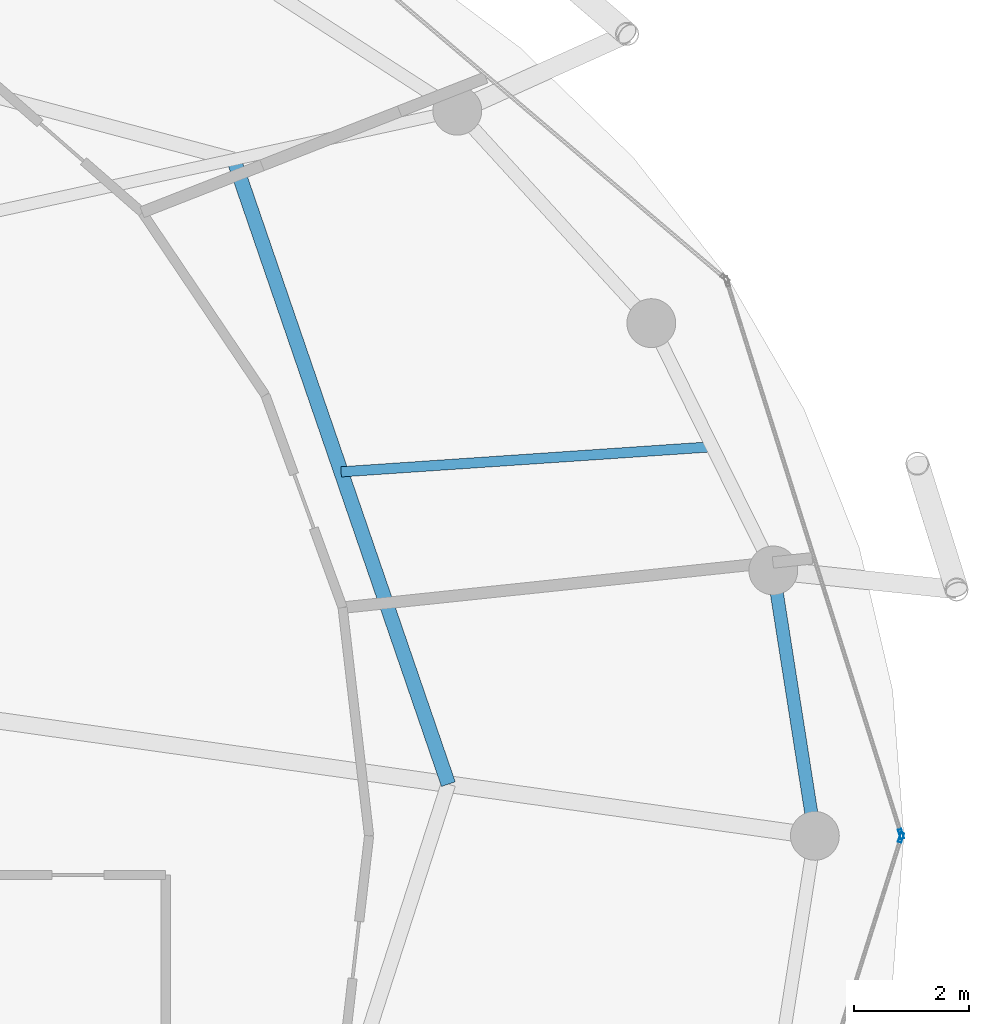
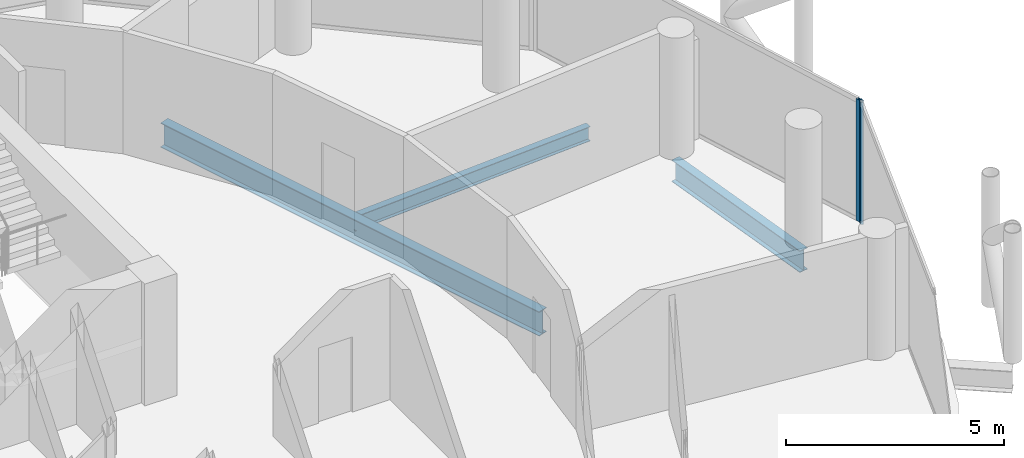
# One storey, part 15 of 27: 3 beams, 2 members, 2 elements without a shape of their own.
"""IFC4 building model written with IfcOpenShell, lengths in metres."""

from ifc_helpers import new_model, si_unit, direction, frame, origin, origin_2d, place, context, subcontext, project, spatial, hollow_rectangle, i_section, extrude, material, layer, layer_set, material_profile, profile_set, type_object, element, aggregate, save


model = new_model("IFC4")

# Units and contexts
model_context = context("Model", 3, precision=1e-05, world=origin(), true_north=direction((0.0, 1.0)))
body_context = subcontext(model_context, "Body", "Model", "MODEL_VIEW")
ifc_project = project(units=[si_unit("LENGTHUNIT", "METRE"), si_unit("AREAUNIT", "SQUARE_METRE"), si_unit("VOLUMEUNIT", "CUBIC_METRE"), si_unit("PLANEANGLEUNIT", "RADIAN"), si_unit("MASSUNIT", "GRAM", prefix="KILO")], contexts=[model_context])

# Site, building, storey
site_placement = place(None, origin())
site = spatial("IfcSite", under=ifc_project, at=site_placement, CompositionType="ELEMENT")
building_placement = place(site_placement, origin())
building = spatial("IfcBuilding", under=site, at=building_placement, Name="Nuhasar Tower", CompositionType="ELEMENT")
storey_placement = place(building_placement, frame((0.0, 0.0, 248.300048828125)))
storey = spatial("IfcBuildingStorey", under=building, at=storey_placement, Name="L61", CompositionType="ELEMENT", Elevation=248.300048828125)

# Beams
ifc_material_1 = material(Name="Steel S355", Category="steel")
ifc_material_profile_1 = material_profile(ifc_material_1, i_section(OverallWidth=0.25390625, OverallDepth=0.68408203125, WebThickness=0.012451171875, FlangeThickness=0.018798828125, at=origin_2d()), Name="W27X94")
ifc_profile_set_1 = profile_set([ifc_material_profile_1], Name="Steel S355")
beam_type_1 = type_object("IfcBeamType", Name="BM-INRING-W27X94", PredefinedType="BEAM", material=ifc_profile_set_1)
beam_1_placement = place(storey_placement, frame((53.8701171875, 27.699951171875, -0.58203125), z_axis=(-0.324809117642, 0.945779592239, 0.0), x_axis=(-0.945779592239, -0.324809117642, 0.0)))
element("IfcBeam", 1, at=beam_1_placement, inside=storey, type_object=beam_type_1, Name="L61 Inner Header Beam 04", PredefinedType="BEAM", context=body_context, shape_type="SweptSolid", body=[
    extrude(i_section(OverallWidth=0.25390625, OverallDepth=0.68408203125, WebThickness=0.012451171875, FlangeThickness=0.018798828125, at=origin_2d()), origin(), (0.0, 0.0, 1.0), 11.496337890625),
])
ifc_material_profile_2 = material_profile(ifc_material_1, i_section(OverallWidth=0.177978515625, OverallDepth=0.406005859375, WebThickness=0.0078125, FlangeThickness=0.0126953125, at=origin_2d()), Name="W16X40")
ifc_profile_set_2 = profile_set([ifc_material_profile_2], Name="Steel S355")
beam_type_2 = type_object("IfcBeamType", Name="BM-JST-W16X40", PredefinedType="JOIST", material=ifc_profile_set_2)
beam_2_placement = place(storey_placement, frame((52.0029296875, 33.135986328125, -0.443115234375), z_axis=(0.997721156568, 0.067472170095, 0.0), x_axis=(-0.067472170095, 0.997721156568, 0.0)))
element("IfcBeam", 2, at=beam_2_placement, inside=storey, type_object=beam_type_2, Name="L61 Secondary Floor Joist 04", PredefinedType="JOIST", context=body_context, shape_type="SweptSolid", body=[
    extrude(i_section(OverallWidth=0.177978515625, OverallDepth=0.406005859375, WebThickness=0.0078125, FlangeThickness=0.0126953125, at=origin_2d()), origin(), (0.0, 0.0, 1.0), 6.476806640625),
])
ifc_material_profile_3 = material_profile(ifc_material_1, i_section(OverallWidth=0.22802734375, OverallDepth=0.60791015625, WebThickness=0.01123046875, FlangeThickness=0.017333984375, at=origin_2d()), Name="W24X76")
ifc_profile_set_3 = profile_set([ifc_material_profile_3], Name="Steel S355")
beam_type_3 = type_object("IfcBeamType", Name="BM-RING-W24X76", PredefinedType="SPANDREL", material=ifc_profile_set_3)
beam_3_placement = place(storey_placement, frame((60.25, 26.800048828125, -0.5439453125), z_axis=(-0.154849872935, 0.987938012657, 0.0), x_axis=(-0.987938012657, -0.154849872935, 0.0)))
element("IfcBeam", 3, at=beam_3_placement, inside=storey, type_object=beam_type_3, Name="L61 Perimeter Ring Spandrel 01", PredefinedType="SPANDREL", context=body_context, shape_type="SweptSolid", body=[
    extrude(i_section(OverallWidth=0.22802734375, OverallDepth=0.60791015625, WebThickness=0.01123046875, FlangeThickness=0.017333984375, at=origin_2d()), origin(), (0.0, 0.0, 1.0), 4.67626953125),
])

# Curtain wall, member
ifc_material_2 = material(Name="Aluminium 6063-T6", Category="aluminium")
ifc_layer = layer(ifc_material_2, 0.18994140625)
ifc_layer_set = layer_set([ifc_layer], Name="Aluminium 6063-T6")
curtain_wall_type = type_object("IfcCurtainWallType", Name="CW-Z3-RES", PredefinedType="NOTDEFINED", material=ifc_layer_set)
curtain_wall_1_placement = place(storey_placement, origin())
curtain_wall_1 = element("IfcCurtainWall", 4, at=curtain_wall_1_placement, inside=storey, type_object=curtain_wall_type, Name="L61 Unitised Curtain Wall 01", PredefinedType="NOTDEFINED")
ifc_material_profile_4 = material_profile(ifc_material_2, hollow_rectangle(XDim=0.06494140625, YDim=0.169921875, WallThickness=0.0048828125, at=origin_2d()), Name="CWM-4")
ifc_profile_set_4 = profile_set([ifc_material_profile_4], Name="Aluminium 6063-T6")
member_type = type_object("IfcMemberType", Name="CW-MUL-S4", PredefinedType="MULLION", material=ifc_profile_set_4)
member_1_placement = place(storey_placement, frame((61.750244140625, 26.8310546875, 0.0), z_axis=(0.0, 0.0, 1.0), x_axis=(-0.95380429279, -0.30042864553, 0.0)))
member_1 = element("IfcMember", 5, at=member_1_placement, type_object=member_type, Name="CW-Z3 mullion 1", PredefinedType="MULLION", context=body_context, shape_type="SweptSolid", body=[
    extrude(hollow_rectangle(XDim=0.06494140625, YDim=0.169921875, WallThickness=0.0048828125, at=origin_2d()), origin(), (0.0, 0.0, 1.0), 3.409912109375),
])
aggregate(curtain_wall_1, [member_1])

curtain_wall_2_placement = place(storey_placement, origin())
curtain_wall_2 = element("IfcCurtainWall", 6, at=curtain_wall_2_placement, inside=storey, type_object=curtain_wall_type, Name="L61 Unitised Curtain Wall 12", PredefinedType="NOTDEFINED")
member_2_placement = place(storey_placement, frame((61.750244140625, 26.76904296875, 0.0), z_axis=(0.0, 0.0, 1.0), x_axis=(-0.95380429279, 0.30042864553, 0.0)))
member_2 = element("IfcMember", 7, at=member_2_placement, type_object=member_type, Name="CW-Z3 mullion 2", PredefinedType="MULLION", context=body_context, shape_type="SweptSolid", body=[
    extrude(hollow_rectangle(XDim=0.06494140625, YDim=0.169921875, WallThickness=0.0048828125, at=origin_2d()), origin(), (0.0, 0.0, 1.0), 3.409912109375),
])
aggregate(curtain_wall_2, [member_2])

save(model, "model.ifc")
